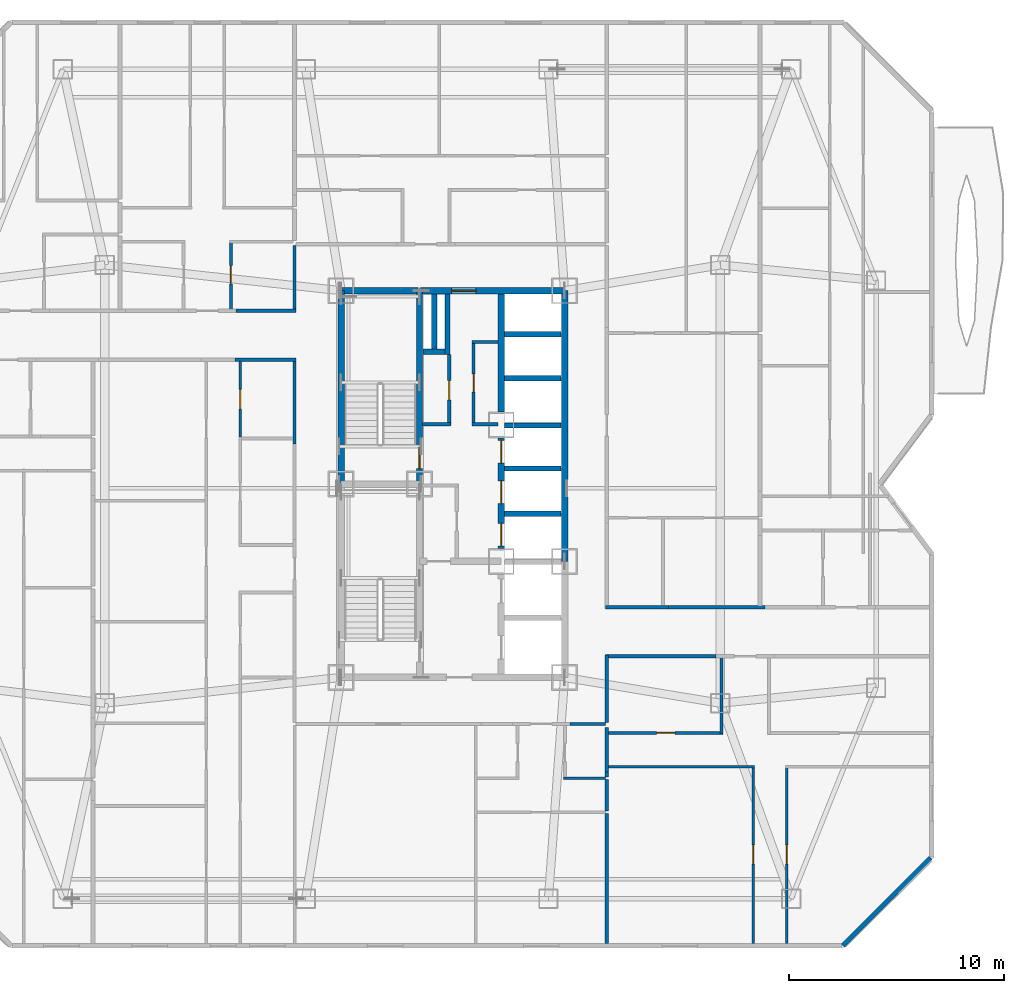
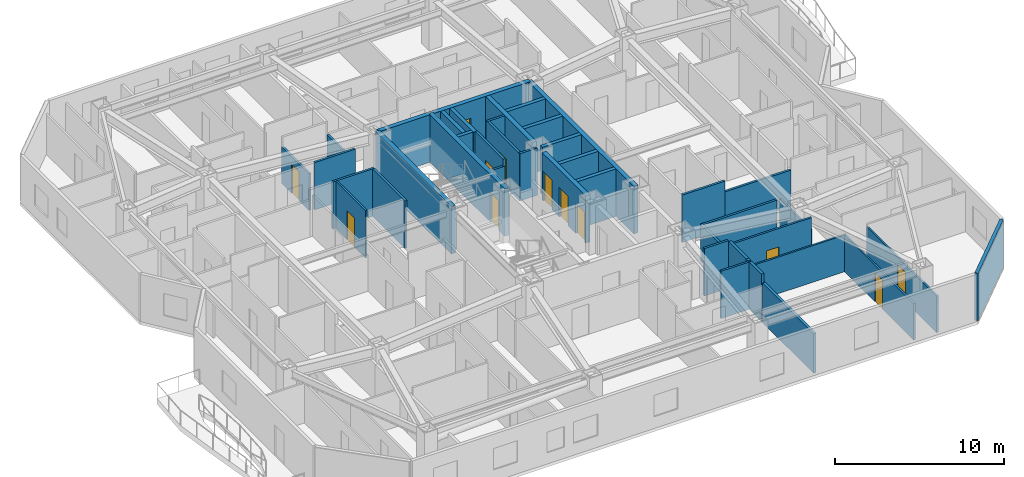
# One storey, part 10 of 16: 41 walls, 12 doors, 12 openings.
"""IFC4 building model written with IfcOpenShell, lengths in metres."""

from ifc_helpers import new_model, si_unit, direction, frame, frame_2d, origin, place, context, subcontext, project, spatial, rectangle, extrude, material, layer, layer_set, type_object, element, fill, save


model = new_model("IFC4")

# Units and contexts
model_context = context("Model", 3, precision=1e-05, world=origin(), true_north=direction((0.0, 1.0)))
body_context = subcontext(model_context, "Body", "Model", "MODEL_VIEW")
ifc_project = project(units=[si_unit("LENGTHUNIT", "METRE"), si_unit("AREAUNIT", "SQUARE_METRE"), si_unit("VOLUMEUNIT", "CUBIC_METRE"), si_unit("PLANEANGLEUNIT", "RADIAN"), si_unit("MASSUNIT", "GRAM", prefix="KILO")], contexts=[model_context])

# Site, building, storey
site_placement = place(None, origin())
site = spatial("IfcSite", under=ifc_project, at=site_placement, CompositionType="ELEMENT")
building_placement = place(site_placement, origin())
building = spatial("IfcBuilding", under=site, at=building_placement, Name="Khamvora Tower", CompositionType="ELEMENT")
storey_placement = place(building_placement, frame((0.0, 0.0, 134.75)))
storey = spatial("IfcBuildingStorey", under=building, at=storey_placement, Name="L34", CompositionType="ELEMENT", Elevation=134.75)

# Wall
ifc_material_1 = material(Name="Concrete C50/60", Category="concrete")
ifc_layer_1 = layer(ifc_material_1, 0.300048828125)
ifc_layer_set_1 = layer_set([ifc_layer_1], Name="Concrete C50/60")
wall_type_1 = type_object("IfcWallType", Name="WAL-CORE-300", PredefinedType="SHEAR", material=ifc_layer_set_1)
wall_1_placement = place(storey_placement, frame((29.0, 28.0, 0.0), z_axis=(0.0, 0.0, 1.0), x_axis=(0.0, 1.0, 0.0)))
element("IfcWall", 1, at=wall_1_placement, inside=storey, type_object=wall_type_1, Name="L34 central core west north wall", PredefinedType="SHEAR", context=body_context, shape_type="SweptSolid", body=[
    extrude(rectangle(XDim=9.0, YDim=0.300048828125, at=frame_2d((4.5, 0.0))), origin(), (0.0, 0.0, 1.0), 3.429931640625),
])

# Wall, opening, door
wall_2_placement = place(storey_placement, frame((29.0, 37.0, 0.0), z_axis=(0.0, 0.0, 1.0), x_axis=(1.0, 0.0, 0.0)))
wall_2 = element("IfcWall", 2, at=wall_2_placement, inside=storey, type_object=wall_type_1, Name="L34 central core north wall", PredefinedType="SHEAR", context=body_context, shape_type="SweptSolid", body=[
    extrude(rectangle(XDim=10.39990234375, YDim=0.300048828125, at=frame_2d((5.199951171875, 0.0))), origin(), (0.0, 0.0, 1.0), 3.429931640625),
])
opening_1_placement = place(wall_2_placement, frame((5.139892578125, 0.0, 0.0)))
opening_1 = element("IfcOpeningElement", 3, at=opening_1_placement, cuts=wall_2, Name="Opening D-SC1", PredefinedType="OPENING", context=body_context, shape_type="SweptSolid", body=[
    extrude(rectangle(XDim=1.14990234375, YDim=2.199951171875, at=frame_2d((0.574951171875, 1.10009765625))), frame((0.0, 0.159912109375, 0.0), z_axis=(0.0, -1.0, 0.0), x_axis=(1.0, 0.0, 0.0)), (0.0, 0.0, 1.0), 0.320068359375),
])
ifc_material_2 = material(Name="Powder-Coated Steel and Hardwood Leaf", Category="steel")
door_type_1 = type_object("IfcDoorType", Name="DOR-SCHL-1150", OperationType="NOTDEFINED", PredefinedType="DOOR", material=ifc_material_2)
door_1_placement = place(opening_1_placement, origin())
door_1 = element("IfcDoor", 4, at=door_1_placement, inside=storey, type_object=door_type_1, Name="L34 north core lobby to corridor fire door", OperationType="SINGLE_SWING_LEFT", OverallHeight=2.199951171875, OverallWidth=1.14990234375, PredefinedType="DOOR", context=body_context, shape_type="SweptSolid", body=[
    extrude(rectangle(XDim=1.14990234375, YDim=2.199951171875, at=frame_2d((0.574951171875, 1.10009765625))), frame((0.0, 0.02490234375, 0.0), z_axis=(0.0, -1.0, 0.0), x_axis=(1.0, 0.0, 0.0)), (0.0, 0.0, 1.0), 0.050048828125),
])
fill(opening_1, door_1)

# Wall
wall_3_placement = place(storey_placement, frame((39.39990234375, 24.39990234375, 0.0), z_axis=(0.0, 0.0, 1.0), x_axis=(0.0, 1.0, 0.0)))
element("IfcWall", 5, at=wall_3_placement, inside=storey, type_object=wall_type_1, Name="L34 central core east north wall", PredefinedType="SHEAR", context=body_context, shape_type="SweptSolid", body=[
    extrude(rectangle(XDim=12.60009765625, YDim=0.300048828125, at=frame_2d((6.300048828125, 0.0))), origin(), (0.0, 0.0, 1.0), 3.429931640625),
])

# Wall, opening, door
wall_4_placement = place(storey_placement, frame((32.64990234375, 28.0, 0.0), z_axis=(0.0, 0.0, 1.0), x_axis=(0.0, 1.0, 0.0)))
wall_4 = element("IfcWall", 6, at=wall_4_placement, inside=storey, type_object=wall_type_1, Name="L34 central core stair north spine wall", PredefinedType="SHEAR", context=body_context, shape_type="SweptSolid", body=[
    extrude(rectangle(XDim=9.0, YDim=0.300048828125, at=frame_2d((4.5, 0.0))), origin(), (0.0, 0.0, 1.0), 3.429931640625),
])
opening_2_placement = place(wall_4_placement, frame((0.719970703125, 0.0, 0.0)))
opening_2 = element("IfcOpeningElement", 7, at=opening_2_placement, cuts=wall_4, Name="Opening D-ST1", PredefinedType="OPENING", context=body_context, shape_type="SweptSolid", body=[
    extrude(rectangle(XDim=1.0, YDim=2.14990234375, at=frame_2d((0.5, 1.074951171875))), frame((0.0, 0.159912109375, 0.0), z_axis=(0.0, -1.0, 0.0), x_axis=(1.0, 0.0, 0.0)), (0.0, 0.0, 1.0), 0.320068359375),
])
door_type_2 = type_object("IfcDoorType", Name="DOR-STAIR-1000", OperationType="NOTDEFINED", PredefinedType="DOOR", material=ifc_material_2)
door_2_placement = place(opening_2_placement, origin())
door_2 = element("IfcDoor", 8, at=door_2_placement, inside=storey, type_object=door_type_2, Name="L34 exit stair ST-02 fire door", OperationType="SINGLE_SWING_RIGHT", OverallHeight=2.14990234375, OverallWidth=1.0, PredefinedType="DOOR", context=body_context, shape_type="SweptSolid", body=[
    extrude(rectangle(XDim=1.0, YDim=2.14990234375, at=frame_2d((0.5, 1.074951171875))), frame((0.0, 0.02490234375, 0.0), z_axis=(0.0, -1.0, 0.0), x_axis=(1.0, 0.0, 0.0)), (0.0, 0.0, 1.0), 0.050048828125),
])
fill(opening_2, door_2)

# Wall, openings, doors
wall_5_placement = place(storey_placement, frame((36.449951171875, 25.0, 0.0), z_axis=(0.0, 0.0, 1.0), x_axis=(0.0, 1.0, 0.0)))
wall_5 = element("IfcWall", 9, at=wall_5_placement, inside=storey, type_object=wall_type_1, Name="L34 central core lift bank central wall", PredefinedType="SHEAR", context=body_context, shape_type="SweptSolid", body=[
    extrude(rectangle(XDim=5.14990234375, YDim=0.300048828125, at=frame_2d((2.574951171875, 0.0))), origin(), (0.0, 0.0, 1.0), 3.429931640625),
])
opening_3_placement = place(wall_5_placement, frame((0.1201171875, 0.0, 0.0)))
opening_3 = element("IfcOpeningElement", 10, at=opening_3_placement, cuts=wall_5, Name="Opening LD-PL", PredefinedType="OPENING", context=body_context, shape_type="SweptSolid", body=[
    extrude(rectangle(XDim=1.050048828125, YDim=2.14990234375, at=frame_2d((0.52490234375, 1.074951171875))), frame((0.0, 0.159912109375, 0.0), z_axis=(0.0, -1.0, 0.0), x_axis=(1.0, 0.0, 0.0)), (0.0, 0.0, 1.0), 0.320068359375),
])
opening_4_placement = place(wall_5_placement, frame((2.094970703125, 0.0, 0.0)))
opening_4 = element("IfcOpeningElement", 11, at=opening_4_placement, cuts=wall_5, Name="Opening LD-PL", PredefinedType="OPENING", context=body_context, shape_type="SweptSolid", body=[
    extrude(rectangle(XDim=1.050048828125, YDim=2.14990234375, at=frame_2d((0.52490234375, 1.074951171875))), frame((0.0, 0.159912109375, 0.0), z_axis=(0.0, -1.0, 0.0), x_axis=(1.0, 0.0, 0.0)), (0.0, 0.0, 1.0), 0.320068359375),
])
opening_5_placement = place(wall_5_placement, frame((3.97998046875, 0.0, 0.0)))
opening_5 = element("IfcOpeningElement", 12, at=opening_5_placement, cuts=wall_5, Name="Opening LD-PL", PredefinedType="OPENING", context=body_context, shape_type="SweptSolid", body=[
    extrude(rectangle(XDim=1.050048828125, YDim=2.14990234375, at=frame_2d((0.52490234375, 1.074951171875))), frame((0.0, 0.159912109375, 0.0), z_axis=(0.0, -1.0, 0.0), x_axis=(1.0, 0.0, 0.0)), (0.0, 0.0, 1.0), 0.320068359375),
])
door_type_3 = type_object("IfcDoorType", Name="DOR-LIFT-1050", OperationType="SLIDING_TO_LEFT", PredefinedType="DOOR", material=ifc_material_2)
door_3_placement = place(opening_3_placement, origin())
door_3 = element("IfcDoor", 13, at=door_3_placement, inside=storey, type_object=door_type_3, Name="L34 lift landing sliding door PL-01", OperationType="SLIDING_TO_LEFT", OverallHeight=2.14990234375, OverallWidth=1.050048828125, PredefinedType="DOOR", context=body_context, shape_type="SweptSolid", body=[
    extrude(rectangle(XDim=1.050048828125, YDim=2.14990234375, at=frame_2d((0.52490234375, 1.074951171875))), frame((0.0, 0.02490234375, 0.0), z_axis=(0.0, -1.0, 0.0), x_axis=(1.0, 0.0, 0.0)), (0.0, 0.0, 1.0), 0.050048828125),
])
fill(opening_3, door_3)
door_4_placement = place(opening_4_placement, origin())
door_4 = element("IfcDoor", 14, at=door_4_placement, inside=storey, type_object=door_type_3, Name="L34 lift landing sliding door PL-02", OperationType="SLIDING_TO_LEFT", OverallHeight=2.14990234375, OverallWidth=1.050048828125, PredefinedType="DOOR", context=body_context, shape_type="SweptSolid", body=[
    extrude(rectangle(XDim=1.050048828125, YDim=2.14990234375, at=frame_2d((0.52490234375, 1.074951171875))), frame((0.0, 0.02490234375, 0.0), z_axis=(0.0, -1.0, 0.0), x_axis=(1.0, 0.0, 0.0)), (0.0, 0.0, 1.0), 0.050048828125),
])
fill(opening_4, door_4)
door_5_placement = place(opening_5_placement, origin())
door_5 = element("IfcDoor", 15, at=door_5_placement, inside=storey, type_object=door_type_3, Name="L34 lift landing sliding door PL-03", OperationType="SLIDING_TO_LEFT", OverallHeight=2.14990234375, OverallWidth=1.050048828125, PredefinedType="DOOR", context=body_context, shape_type="SweptSolid", body=[
    extrude(rectangle(XDim=1.050048828125, YDim=2.14990234375, at=frame_2d((0.52490234375, 1.074951171875))), frame((0.0, 0.02490234375, 0.0), z_axis=(0.0, -1.0, 0.0), x_axis=(1.0, 0.0, 0.0)), (0.0, 0.0, 1.0), 0.050048828125),
])
fill(opening_5, door_5)

# Walls
wall_6_placement = place(storey_placement, frame((36.449951171875, 31.35009765625, 0.0), z_axis=(0.0, 0.0, 1.0), x_axis=(0.0, 1.0, 0.0)))
element("IfcWall", 16, at=wall_6_placement, inside=storey, type_object=wall_type_1, Name="L34 central core lift bank north wall", PredefinedType="SHEAR", context=body_context, shape_type="SweptSolid", body=[
    extrude(rectangle(XDim=5.495849609375, YDim=0.300048828125, at=frame_2d((2.748046875, 0.0))), origin(), (0.0, 0.0, 1.0), 3.429931640625),
])
ifc_material_3 = material(Name="Fire-Rated Drywall and Steel Stud", Category="steel")
ifc_layer_2 = layer(ifc_material_3, 0.14990234375)
ifc_layer_set_2 = layer_set([ifc_layer_2], Name="Fire-Rated Drywall and Steel Stud")
wall_type_2 = type_object("IfcWallType", Name="WAL-CORR-150", PredefinedType="STANDARD", material=ifc_layer_set_2)
wall_7_placement = place(storey_placement, frame((36.305908203125, 34.614990234375, 0.0), z_axis=(0.0, 0.0, 1.0), x_axis=(-1.0, 0.0, 0.0)))
element("IfcWall", 17, at=wall_7_placement, inside=storey, type_object=wall_type_2, Name="L34 interior partition wall 001", PredefinedType="STANDARD", context=body_context, shape_type="SweptSolid", body=[
    extrude(rectangle(XDim=1.205810546875, YDim=0.14990234375, at=frame_2d((0.60302734375, 0.0))), origin(), (0.0, 0.0, 1.0), 3.429931640625),
])

# Wall, opening, door
wall_8_placement = place(storey_placement, frame((35.1650390625, 34.677978515625, 0.0), z_axis=(0.0, 0.0, 1.0), x_axis=(0.0, -1.0, 0.0)))
wall_8 = element("IfcWall", 18, at=wall_8_placement, inside=storey, type_object=wall_type_2, Name="L34 interior partition wall 002", PredefinedType="STANDARD", context=body_context, shape_type="SweptSolid", body=[
    extrude(rectangle(XDim=3.9580078125, YDim=0.14990234375, at=frame_2d((1.97900390625, 0.0))), origin(), (0.0, 0.0, 1.0), 3.429931640625),
])
opening_6_placement = place(wall_8_placement, frame((1.553955078125, 0.0, 0.0)))
opening_6 = element("IfcOpeningElement", 19, at=opening_6_placement, cuts=wall_8, Name="Opening D-WC1", PredefinedType="OPENING", context=body_context, shape_type="SweptSolid", body=[
    extrude(rectangle(XDim=0.85009765625, YDim=2.10009765625, at=frame_2d((0.425048828125, 1.050048828125))), frame((0.0, 0.0849609375, 0.0), z_axis=(0.0, -1.0, 0.0), x_axis=(1.0, 0.0, 0.0)), (0.0, 0.0, 1.0), 0.169921875),
])
door_type_4 = type_object("IfcDoorType", Name="DOR-WET-850", OperationType="NOTDEFINED", PredefinedType="DOOR", material=ifc_material_2)
door_6_placement = place(opening_6_placement, origin())
door_6 = element("IfcDoor", 20, at=door_6_placement, inside=storey, type_object=door_type_4, Name="L34 interior door PLL-CS1", OperationType="SINGLE_SWING_RIGHT", OverallHeight=2.10009765625, OverallWidth=0.85009765625, PredefinedType="DOOR", context=body_context, shape_type="SweptSolid", body=[
    extrude(rectangle(XDim=0.85009765625, YDim=2.10009765625, at=frame_2d((0.425048828125, 1.050048828125))), frame((0.0, 0.02490234375, 0.0), z_axis=(0.0, -1.0, 0.0), x_axis=(1.0, 0.0, 0.0)), (0.0, 0.0, 1.0), 0.050048828125),
])
fill(opening_6, door_6)

# Walls
wall_9_placement = place(storey_placement, frame((35.10205078125, 30.784912109375, 0.0), z_axis=(0.0, 0.0, 1.0), x_axis=(1.0, 0.0, 0.0)))
element("IfcWall", 21, at=wall_9_placement, inside=storey, type_object=wall_type_2, Name="L34 interior partition wall 003", PredefinedType="STANDARD", context=body_context, shape_type="SweptSolid", body=[
    extrude(rectangle(XDim=1.197998046875, YDim=0.14990234375, at=frame_2d((0.59912109375, 0.0))), origin(), (0.0, 0.0, 1.0), 3.429931640625),
])
wall_10_placement = place(storey_placement, frame((32.7939453125, 30.784912109375, 0.0), z_axis=(0.0, 0.0, 1.0), x_axis=(1.0, 0.0, 0.0)))
element("IfcWall", 22, at=wall_10_placement, inside=storey, type_object=wall_type_2, Name="L34 interior partition wall 004", PredefinedType="STANDARD", context=body_context, shape_type="SweptSolid", body=[
    extrude(rectangle(XDim=1.30615234375, YDim=0.14990234375, at=frame_2d((0.653076171875, 0.0))), origin(), (0.0, 0.0, 1.0), 2.886962890625),
])

# Wall, opening, door
wall_11_placement = place(storey_placement, frame((34.034912109375, 30.719970703125, 0.0), z_axis=(0.0, 0.0, 1.0), x_axis=(0.0, 1.0, 0.0)))
wall_11 = element("IfcWall", 23, at=wall_11_placement, inside=storey, type_object=wall_type_2, Name="L34 interior partition wall 005", PredefinedType="STANDARD", context=body_context, shape_type="SweptSolid", body=[
    extrude(rectangle(XDim=3.300048828125, YDim=0.14990234375, at=frame_2d((1.64990234375, 0.0))), origin(), (0.0, 0.0, 1.0), 3.429931640625),
])
opening_7_placement = place(wall_11_placement, frame((1.199951171875, 0.0, 0.0)))
opening_7 = element("IfcOpeningElement", 24, at=opening_7_placement, cuts=wall_11, Name="Opening D-RM1", PredefinedType="OPENING", context=body_context, shape_type="SweptSolid", body=[
    extrude(rectangle(XDim=0.89990234375, YDim=2.10009765625, at=frame_2d((0.449951171875, 1.050048828125))), frame((0.0, 0.0849609375, 0.0), z_axis=(0.0, -1.0, 0.0), x_axis=(1.0, 0.0, 0.0)), (0.0, 0.0, 1.0), 0.169921875),
])
door_type_5 = type_object("IfcDoorType", Name="DOR-ROOM-900", OperationType="NOTDEFINED", PredefinedType="DOOR", material=ifc_material_2)
door_7_placement = place(opening_7_placement, origin())
door_7 = element("IfcDoor", 25, at=door_7_placement, inside=storey, type_object=door_type_5, Name="L34 interior door PLL-CS2", OperationType="SINGLE_SWING_LEFT", OverallHeight=2.10009765625, OverallWidth=0.89990234375, PredefinedType="DOOR", context=body_context, shape_type="SweptSolid", body=[
    extrude(rectangle(XDim=0.89990234375, YDim=2.10009765625, at=frame_2d((0.449951171875, 1.050048828125))), frame((0.0, 0.02490234375, 0.0), z_axis=(0.0, -1.0, 0.0), x_axis=(1.0, 0.0, 0.0)), (0.0, 0.0, 1.0), 0.050048828125),
])
fill(opening_7, door_7)

# Walls
wall_12_placement = place(storey_placement, frame((26.8349609375, 29.875, 0.0), z_axis=(0.0, 0.0, 1.0), x_axis=(0.0, 1.0, 0.0)))
element("IfcWall", 26, at=wall_12_placement, inside=storey, type_object=wall_type_2, Name="L34 interior partition wall 013", PredefinedType="STANDARD", context=body_context, shape_type="SweptSolid", body=[
    extrude(rectangle(XDim=3.97509765625, YDim=0.14990234375, at=frame_2d((1.987548828125, 0.0))), origin(), (0.0, 0.0, 1.0), 3.429931640625),
])
wall_13_placement = place(storey_placement, frame((26.89794921875, 33.784912109375, 0.0), z_axis=(0.0, 0.0, 1.0), x_axis=(-1.0, 0.0, 0.0)))
element("IfcWall", 27, at=wall_13_placement, inside=storey, type_object=wall_type_2, Name="L34 interior partition wall 014", PredefinedType="STANDARD", context=body_context, shape_type="SweptSolid", body=[
    extrude(rectangle(XDim=2.842041015625, YDim=0.14990234375, at=frame_2d((1.4208984375, 0.0))), origin(), (0.0, 0.0, 1.0), 3.429931640625),
])
wall_14_placement = place(storey_placement, frame((26.8349609375, 36.0, 0.0), z_axis=(0.0, 0.0, 1.0), x_axis=(0.0, 1.0, 0.0)))
element("IfcWall", 28, at=wall_14_placement, inside=storey, type_object=wall_type_2, Name="L34 interior partition wall 025", PredefinedType="STANDARD", context=body_context, shape_type="SweptSolid", body=[
    extrude(rectangle(XDim=3.10009765625, YDim=0.14990234375, at=frame_2d((1.550048828125, 0.0))), origin(), (0.0, 0.0, 1.0), 2.64697265625),
])
wall_15_placement = place(storey_placement, frame((24.118896484375, 36.06494140625, 0.0), z_axis=(0.0, 0.0, 1.0), x_axis=(1.0, 0.0, 0.0)))
element("IfcWall", 29, at=wall_15_placement, inside=storey, type_object=wall_type_2, Name="L34 interior partition wall 026", PredefinedType="STANDARD", context=body_context, shape_type="SweptSolid", body=[
    extrude(rectangle(XDim=2.779052734375, YDim=0.14990234375, at=frame_2d((1.3896484375, 0.0))), origin(), (0.0, 0.0, 1.0), 3.429931640625),
])
wall_16_placement = place(storey_placement, frame((41.300048828125, 16.8349609375, 0.0), z_axis=(0.0, 0.0, 1.0), x_axis=(-1.0, 0.0, 0.0)))
element("IfcWall", 30, at=wall_16_placement, inside=storey, type_object=wall_type_2, Name="L34 interior partition wall 029", PredefinedType="STANDARD", context=body_context, shape_type="SweptSolid", body=[
    extrude(rectangle(XDim=1.635986328125, YDim=0.14990234375, at=frame_2d((0.81787109375, 0.0))), origin(), (0.0, 0.0, 1.0), 3.429931640625),
])
wall_17_placement = place(storey_placement, frame((46.4609375, 19.985107421875, 0.0), z_axis=(0.0, 0.0, 1.0), x_axis=(-1.0, 0.0, 0.0)))
element("IfcWall", 31, at=wall_17_placement, inside=storey, type_object=wall_type_2, Name="L34 interior partition wall 034", PredefinedType="STANDARD", context=body_context, shape_type="SweptSolid", body=[
    extrude(rectangle(XDim=5.160888671875, YDim=0.14990234375, at=frame_2d((2.58056640625, 0.0))), origin(), (0.0, 0.0, 1.0), 2.64697265625),
])
wall_18_placement = place(storey_placement, frame((41.364990234375, 20.050048828125, 0.0), z_axis=(0.0, 0.0, 1.0), x_axis=(0.0, -1.0, 0.0)))
element("IfcWall", 32, at=wall_18_placement, inside=storey, type_object=wall_type_2, Name="L34 interior partition wall 035", PredefinedType="STANDARD", context=body_context, shape_type="SweptSolid", body=[
    extrude(rectangle(XDim=3.150146484375, YDim=0.14990234375, at=frame_2d((1.5751953125, 0.0))), origin(), (0.0, 0.0, 1.0), 2.64697265625),
])
wall_19_placement = place(storey_placement, frame((41.300048828125, 22.264892578125, 0.0), z_axis=(0.0, 0.0, 1.0), x_axis=(1.0, 0.0, 0.0)))
element("IfcWall", 33, at=wall_19_placement, inside=storey, type_object=wall_type_2, Name="L34 interior partition wall 039", PredefinedType="STANDARD", context=body_context, shape_type="SweptSolid", body=[
    extrude(rectangle(XDim=2.928955078125, YDim=0.14990234375, at=frame_2d((1.46435546875, 0.0))), origin(), (0.0, 0.0, 1.0), 3.429931640625),
])
wall_20_placement = place(storey_placement, frame((44.22900390625, 22.264892578125, 0.0), z_axis=(0.0, 0.0, 1.0), x_axis=(1.0, 0.0, 0.0)))
element("IfcWall", 34, at=wall_20_placement, inside=storey, type_object=wall_type_2, Name="L34 interior partition wall 040", PredefinedType="STANDARD", context=body_context, shape_type="SweptSolid", body=[
    extrude(rectangle(XDim=4.510009765625, YDim=0.14990234375, at=frame_2d((2.2548828125, 0.0))), origin(), (0.0, 0.0, 1.0), 2.64697265625),
])
ifc_material_4 = material(Name="Acoustic Double-Stud Fire Wall", Category="gypsum")
ifc_layer_3 = layer(ifc_material_4, 0.179931640625)
ifc_layer_set_3 = layer_set([ifc_layer_3], Name="Acoustic Double-Stud Fire Wall")
wall_type_3 = type_object("IfcWallType", Name="WAL-CORR-180", PredefinedType="STANDARD", material=ifc_layer_set_3)
wall_21_placement = place(storey_placement, frame((41.364990234375, 14.239990234375, 0.0), z_axis=(0.0, 0.0, 1.0), x_axis=(0.0, -1.0, 0.0)))
element("IfcWall", 35, at=wall_21_placement, inside=storey, type_object=wall_type_3, Name="L34 interior partition wall 118", PredefinedType="STANDARD", context=body_context, shape_type="SweptSolid", body=[
    extrude(rectangle(XDim=1.449951171875, YDim=0.179931640625, at=frame_2d((0.72509765625, 0.0))), origin(), (0.0, 0.0, 1.0), 3.429931640625),
])
wall_22_placement = place(storey_placement, frame((41.364990234375, 16.669921875, 0.0), z_axis=(0.0, 0.0, 1.0), x_axis=(0.0, -1.0, 0.0)))
element("IfcWall", 36, at=wall_22_placement, inside=storey, type_object=wall_type_3, Name="L34 interior partition wall 119", PredefinedType="STANDARD", context=body_context, shape_type="SweptSolid", body=[
    extrude(rectangle(XDim=2.077880859375, YDim=0.179931640625, at=frame_2d((1.0390625, 0.0))), origin(), (0.0, 0.0, 1.0), 3.429931640625),
])
wall_23_placement = place(storey_placement, frame((41.364990234375, 14.592041015625, 0.0), z_axis=(0.0, 0.0, 1.0), x_axis=(0.0, -1.0, 0.0)))
element("IfcWall", 37, at=wall_23_placement, inside=storey, type_object=wall_type_3, Name="L34 interior partition wall 120", PredefinedType="STANDARD", context=body_context, shape_type="SweptSolid", body=[
    extrude(rectangle(XDim=0.221923828125, YDim=0.179931640625, at=frame_2d((0.11083984375, 0.0))), origin(), (0.0, 0.0, 1.0), 3.429931640625),
])
wall_24_placement = place(storey_placement, frame((41.364990234375, 12.659912109375, 0.0), z_axis=(0.0, 0.0, 1.0), x_axis=(0.0, -1.0, 0.0)))
element("IfcWall", 38, at=wall_24_placement, inside=storey, type_object=wall_type_3, Name="L34 interior partition wall 121", PredefinedType="STANDARD", context=body_context, shape_type="SweptSolid", body=[
    extrude(rectangle(XDim=6.0478515625, YDim=0.179931640625, at=frame_2d((3.02392578125, 0.0))), origin(), (0.0, 0.0, 1.0), 2.8759765625),
])
ifc_material_5 = material(Name="Precast concrete C40/50", Category="concrete")
ifc_layer_4 = layer(ifc_material_5, 0.219970703125)
ifc_layer_set_4 = layer_set([ifc_layer_4], Name="Precast concrete C40/50")
wall_type_4 = type_object("IfcWallType", Name="WAL-EXT-220", PredefinedType="STANDARD", material=ifc_layer_set_4)
wall_25_placement = place(storey_placement, frame((56.43994140625, 10.595947265625, 0.0), z_axis=(0.0, 0.0, 1.0), x_axis=(-0.707106781187, -0.707106781187, 0.0)))
element("IfcWall", 39, at=wall_25_placement, inside=storey, type_object=wall_type_4, Name="L34 exterior facade wall 13.1", PredefinedType="STANDARD", context=body_context, shape_type="SweptSolid", body=[
    extrude(rectangle(XDim=5.7783203125, YDim=0.219970703125, at=frame_2d((2.88916015625, 0.0))), origin(), (0.0, 0.0, 1.0), 3.429931640625),
])

# Wall, opening, door
ifc_material_6 = material(Name="Gypsum Plasterboard Partition", Category="gypsum")
ifc_layer_5 = layer(ifc_material_6, 0.1201171875)
ifc_layer_set_5 = layer_set([ifc_layer_5], Name="Gypsum Plasterboard Partition")
wall_type_5 = type_object("IfcWallType", Name="WAL-PART-120", PredefinedType="PARTITIONING", material=ifc_layer_set_5)
wall_26_placement = place(storey_placement, frame((24.304931640625, 30.18896484375, 0.0), z_axis=(0.0, 0.0, 1.0), x_axis=(0.0, 1.0, 0.0)))
wall_26 = element("IfcWall", 40, at=wall_26_placement, inside=storey, type_object=wall_type_5, Name="L34 interior partition wall 074", PredefinedType="PARTITIONING", context=body_context, shape_type="SweptSolid", body=[
    extrude(rectangle(XDim=3.529052734375, YDim=0.1201171875, at=frame_2d((1.7646484375, 0.0))), origin(), (0.0, 0.0, 1.0), 3.429931640625),
])
opening_8_placement = place(wall_26_placement, frame((1.31494140625, 0.0, 0.0)))
opening_8 = element("IfcOpeningElement", 41, at=opening_8_placement, cuts=wall_26, Name="Opening D-RM1", PredefinedType="OPENING", context=body_context, shape_type="SweptSolid", body=[
    extrude(rectangle(XDim=0.89990234375, YDim=2.10009765625, at=frame_2d((0.449951171875, 1.050048828125))), frame((0.0, 0.070068359375, 0.0), z_axis=(0.0, -1.0, 0.0), x_axis=(1.0, 0.0, 0.0)), (0.0, 0.0, 1.0), 0.14013671875),
])
door_8_placement = place(opening_8_placement, origin())
door_8 = element("IfcDoor", 42, at=door_8_placement, inside=storey, type_object=door_type_5, Name="L34 interior door 34WA2W2-34WA2H", OperationType="SINGLE_SWING_RIGHT", OverallHeight=2.10009765625, OverallWidth=0.89990234375, PredefinedType="DOOR", context=body_context, shape_type="SweptSolid", body=[
    extrude(rectangle(XDim=0.89990234375, YDim=2.10009765625, at=frame_2d((0.449951171875, 1.050048828125))), frame((0.0, 0.02490234375, 0.0), z_axis=(0.0, -1.0, 0.0), x_axis=(1.0, 0.0, 0.0)), (0.0, 0.0, 1.0), 0.050048828125),
])
fill(opening_8, door_8)

wall_27_placement = place(storey_placement, frame((48.175048828125, 6.612060546875, 0.0), z_axis=(0.0, 0.0, 1.0), x_axis=(0.0, 1.0, 0.0)))
wall_27 = element("IfcWall", 43, at=wall_27_placement, inside=storey, type_object=wall_type_5, Name="L34 interior partition wall 136", PredefinedType="PARTITIONING", context=body_context, shape_type="SweptSolid", body=[
    extrude(rectangle(XDim=8.2939453125, YDim=0.1201171875, at=frame_2d((4.14697265625, 0.0))), origin(), (0.0, 0.0, 1.0), 2.64697265625),
])
opening_9_placement = place(wall_27_placement, frame((3.697021484375, 0.0, 0.0)))
opening_9 = element("IfcOpeningElement", 44, at=opening_9_placement, cuts=wall_27, Name="Opening D-RM1", PredefinedType="OPENING", context=body_context, shape_type="SweptSolid", body=[
    extrude(rectangle(XDim=0.89990234375, YDim=2.10009765625, at=frame_2d((0.449951171875, 1.050048828125))), frame((0.0, 0.070068359375, 0.0), z_axis=(0.0, -1.0, 0.0), x_axis=(1.0, 0.0, 0.0)), (0.0, 0.0, 1.0), 0.14013671875),
])
door_9_placement = place(opening_9_placement, origin())
door_9 = element("IfcDoor", 45, at=door_9_placement, inside=storey, type_object=door_type_5, Name="L34 interior door 34EAH-34EAR1", OperationType="SINGLE_SWING_LEFT", OverallHeight=2.10009765625, OverallWidth=0.89990234375, PredefinedType="DOOR", context=body_context, shape_type="SweptSolid", body=[
    extrude(rectangle(XDim=0.89990234375, YDim=2.10009765625, at=frame_2d((0.449951171875, 1.050048828125))), frame((0.0, 0.02490234375, 0.0), z_axis=(0.0, -1.0, 0.0), x_axis=(1.0, 0.0, 0.0)), (0.0, 0.0, 1.0), 0.050048828125),
])
fill(opening_9, door_9)

# Wall
wall_28_placement = place(storey_placement, frame((48.239990234375, 14.841064453125, 0.0), z_axis=(0.0, 0.0, 1.0), x_axis=(-1.0, 0.0, 0.0)))
element("IfcWall", 46, at=wall_28_placement, inside=storey, type_object=wall_type_5, Name="L34 interior partition wall 137", PredefinedType="PARTITIONING", context=body_context, shape_type="SweptSolid", body=[
    extrude(rectangle(XDim=6.79296875, YDim=0.1201171875, at=frame_2d((3.396484375, 0.0))), origin(), (0.0, 0.0, 1.0), 2.64697265625),
])

# Wall, opening, door
wall_29_placement = place(storey_placement, frame((49.7451171875, 14.906005859375, 0.0), z_axis=(0.0, 0.0, 1.0), x_axis=(0.0, -1.0, 0.0)))
wall_29 = element("IfcWall", 47, at=wall_29_placement, inside=storey, type_object=wall_type_5, Name="L34 interior partition wall 139", PredefinedType="PARTITIONING", context=body_context, shape_type="SweptSolid", body=[
    extrude(rectangle(XDim=8.2939453125, YDim=0.1201171875, at=frame_2d((4.14697265625, 0.0))), origin(), (0.0, 0.0, 1.0), 2.64697265625),
])
opening_10_placement = place(wall_29_placement, frame((3.697021484375, 0.0, 0.0)))
opening_10 = element("IfcOpeningElement", 48, at=opening_10_placement, cuts=wall_29, Name="Opening D-RM1", PredefinedType="OPENING", context=body_context, shape_type="SweptSolid", body=[
    extrude(rectangle(XDim=0.89990234375, YDim=2.10009765625, at=frame_2d((0.449951171875, 1.050048828125))), frame((0.0, 0.070068359375, 0.0), z_axis=(0.0, -1.0, 0.0), x_axis=(1.0, 0.0, 0.0)), (0.0, 0.0, 1.0), 0.14013671875),
])
door_10_placement = place(opening_10_placement, origin())
door_10 = element("IfcDoor", 49, at=door_10_placement, inside=storey, type_object=door_type_5, Name="L34 interior door 34EAH-34EAR2", OperationType="SINGLE_SWING_RIGHT", OverallHeight=2.10009765625, OverallWidth=0.89990234375, PredefinedType="DOOR", context=body_context, shape_type="SweptSolid", body=[
    extrude(rectangle(XDim=0.89990234375, YDim=2.10009765625, at=frame_2d((0.449951171875, 1.050048828125))), frame((0.0, 0.02490234375, 0.0), z_axis=(0.0, -1.0, 0.0), x_axis=(1.0, 0.0, 0.0)), (0.0, 0.0, 1.0), 0.050048828125),
])
fill(opening_10, door_10)

# Walls
ifc_material_7 = material(Name="Concrete C40/50", Category="concrete")
ifc_layer_6 = layer(ifc_material_7, 0.25)
ifc_layer_set_6 = layer_set([ifc_layer_6], Name="Concrete C40/50")
wall_type_6 = type_object("IfcWallType", Name="WAL-PODS-250", PredefinedType="SHEAR", material=ifc_layer_set_6)
for number, where, z_axis, x_axis, name in (
    (50, (36.60400390625, 26.625, 0.0), (0.0, 0.0, 1.0), (1.0, 0.0, 0.0), "L34 lift shaft divider wall PL-01"),
    (51, (36.60400390625, 28.72509765625, 0.0), (0.0, 0.0, 1.0), (1.0, 0.0, 0.0), "L34 lift shaft divider wall PL-02"),
    (52, (36.60400390625, 30.72509765625, 0.0), (0.0, 0.0, 1.0), (1.0, 0.0, 0.0), "L34 lift shaft divider wall PL-03"),
    (53, (36.60400390625, 32.925048828125, 0.0), (0.0, 0.0, 1.0), (1.0, 0.0, 0.0), "L34 lift shaft divider wall PH-01"),
    (54, (36.60400390625, 34.97509765625, 0.0), (0.0, 0.0, 1.0), (1.0, 0.0, 0.0), "L34 lift shaft divider wall PH-02"),
):
    element("IfcWall", number, at=place(storey_placement, frame(where, z_axis=z_axis, x_axis=x_axis)), inside=storey, type_object=wall_type_6, Name=name, PredefinedType="SHEAR", context=body_context, shape_type="SweptSolid", body=[
        extrude(rectangle(XDim=2.64208984375, YDim=0.25, at=frame_2d((1.321044921875, 0.0))), origin(), (0.0, 0.0, 1.0), 3.429931640625),
    ])
wall_30_placement = place(storey_placement, frame((33.955078125, 34.02490234375, 0.0), z_axis=(0.0, 0.0, 1.0), x_axis=(0.0, 1.0, 0.0)))
element("IfcWall", 55, at=wall_30_placement, inside=storey, type_object=wall_type_6, Name="L34 vertical MEP riser shaft east enclosure wall", PredefinedType="SHEAR", context=body_context, shape_type="SweptSolid", body=[
    extrude(rectangle(XDim=2.821044921875, YDim=0.25, at=frame_2d((1.41064453125, 0.0))), origin(), (0.0, 0.0, 1.0), 3.429931640625),
])
wall_31_placement = place(storey_placement, frame((32.803955078125, 34.14990234375, 0.0), z_axis=(0.0, 0.0, 1.0), x_axis=(1.0, 0.0, 0.0)))
element("IfcWall", 56, at=wall_31_placement, inside=storey, type_object=wall_type_6, Name="L34 vertical MEP riser shaft south enclosure wall", PredefinedType="SHEAR", context=body_context, shape_type="SweptSolid", body=[
    extrude(rectangle(XDim=1.02197265625, YDim=0.25, at=frame_2d((0.510986328125, 0.0))), origin(), (0.0, 0.0, 1.0), 3.429931640625),
])
wall_32_placement = place(storey_placement, frame((33.340087890625, 34.279052734375, 0.0), z_axis=(0.0, 0.0, 1.0), x_axis=(0.0, 1.0, 0.0)))
element("IfcWall", 57, at=wall_32_placement, inside=storey, type_object=wall_type_6, Name="L34 vertical MEP riser shaft divider enclosure wall", PredefinedType="SHEAR", context=body_context, shape_type="SweptSolid", body=[
    extrude(rectangle(XDim=2.56689453125, YDim=0.25, at=frame_2d((1.283447265625, 0.0))), origin(), (0.0, 0.0, 1.0), 3.429931640625),
])

# Wall, opening, door
ifc_material_8 = material(Name="Moisture-Resistant Plasterboard Partition", Category="gypsum")
ifc_layer_7 = layer(ifc_material_8, 0.135009765625)
ifc_layer_set_7 = layer_set([ifc_layer_7], Name="Moisture-Resistant Plasterboard Partition")
wall_type_7 = type_object("IfcWallType", Name="WAL-WET-135", PredefinedType="PARTITIONING", material=ifc_layer_set_7)
wall_33_placement = place(storey_placement, frame((23.8701171875, 39.344970703125, 0.0), z_axis=(0.0, 0.0, 1.0), x_axis=(0.0, -1.0, 0.0)))
wall_33 = element("IfcWall", 58, at=wall_33_placement, inside=storey, type_object=wall_type_7, Name="L34 interior partition wall 104", PredefinedType="PARTITIONING", context=body_context, shape_type="SweptSolid", body=[
    extrude(rectangle(XDim=3.215087890625, YDim=0.135009765625, at=frame_2d((1.607421875, 0.0))), origin(), (0.0, 0.0, 1.0), 2.64697265625),
])
opening_11_placement = place(wall_33_placement, frame((1.181884765625, 0.0, 0.0)))
opening_11 = element("IfcOpeningElement", 59, at=opening_11_placement, cuts=wall_33, Name="Opening D-RM2", PredefinedType="OPENING", context=body_context, shape_type="SweptSolid", body=[
    extrude(rectangle(XDim=0.85009765625, YDim=2.10009765625, at=frame_2d((0.425048828125, 1.050048828125))), frame((0.0, 0.077392578125, 0.0), z_axis=(0.0, -1.0, 0.0), x_axis=(1.0, 0.0, 0.0)), (0.0, 0.0, 1.0), 0.155029296875),
])
door_type_6 = type_object("IfcDoorType", Name="DOR-ROOM-850", OperationType="NOTDEFINED", PredefinedType="DOOR", material=ifc_material_2)
door_11_placement = place(opening_11_placement, origin())
door_11 = element("IfcDoor", 60, at=door_11_placement, inside=storey, type_object=door_type_6, Name="L34 interior door 34WCH-34WCK", OperationType="SINGLE_SWING_LEFT", OverallHeight=2.10009765625, OverallWidth=0.85009765625, PredefinedType="DOOR", context=body_context, shape_type="SweptSolid", body=[
    extrude(rectangle(XDim=0.85009765625, YDim=2.10009765625, at=frame_2d((0.425048828125, 1.050048828125))), frame((0.0, 0.02490234375, 0.0), z_axis=(0.0, -1.0, 0.0), x_axis=(1.0, 0.0, 0.0)), (0.0, 0.0, 1.0), 0.050048828125),
])
fill(opening_11, door_11)

# Wall
wall_34_placement = place(storey_placement, frame((39.35009765625, 14.304931640625, 0.0), z_axis=(0.0, 0.0, 1.0), x_axis=(1.0, 0.0, 0.0)))
element("IfcWall", 61, at=wall_34_placement, inside=storey, type_object=wall_type_7, Name="L34 interior partition wall 116", PredefinedType="PARTITIONING", context=body_context, shape_type="SweptSolid", body=[
    extrude(rectangle(XDim=1.949951171875, YDim=0.135009765625, at=frame_2d((0.97509765625, 0.0))), origin(), (0.0, 0.0, 1.0), 3.429931640625),
])

# Wall, opening, door
wall_35_placement = place(storey_placement, frame((41.447021484375, 16.4208984375, 0.0), z_axis=(0.0, 0.0, 1.0), x_axis=(1.0, 0.0, 0.0)))
wall_35 = element("IfcWall", 62, at=wall_35_placement, inside=storey, type_object=wall_type_7, Name="L34 interior partition wall 132", PredefinedType="PARTITIONING", context=body_context, shape_type="SweptSolid", body=[
    extrude(rectangle(XDim=5.327880859375, YDim=0.135009765625, at=frame_2d((2.6640625, 0.0))), origin(), (0.0, 0.0, 1.0), 3.429931640625),
])
opening_12_placement = place(wall_35_placement, frame((2.239013671875, 0.0, 0.0)))
opening_12 = element("IfcOpeningElement", 63, at=opening_12_placement, cuts=wall_35, Name="Opening D-WC1", PredefinedType="OPENING", context=body_context, shape_type="SweptSolid", body=[
    extrude(rectangle(XDim=0.85009765625, YDim=2.10009765625, at=frame_2d((0.425048828125, 1.050048828125))), frame((0.0, 0.077392578125, 0.0), z_axis=(0.0, -1.0, 0.0), x_axis=(1.0, 0.0, 0.0)), (0.0, 0.0, 1.0), 0.155029296875),
])
door_12_placement = place(opening_12_placement, origin())
door_12 = element("IfcDoor", 64, at=door_12_placement, inside=storey, type_object=door_type_4, Name="L34 interior door 34EAH-34EAB", OperationType="SINGLE_SWING_LEFT", OverallHeight=2.10009765625, OverallWidth=0.85009765625, PredefinedType="DOOR", context=body_context, shape_type="SweptSolid", body=[
    extrude(rectangle(XDim=0.85009765625, YDim=2.10009765625, at=frame_2d((0.425048828125, 1.050048828125))), frame((0.0, 0.02490234375, 0.0), z_axis=(0.0, -1.0, 0.0), x_axis=(1.0, 0.0, 0.0)), (0.0, 0.0, 1.0), 0.050048828125),
])
fill(opening_12, door_12)

# Wall
wall_36_placement = place(storey_placement, frame((46.7099609375, 16.35595703125, 0.0), z_axis=(0.0, 0.0, 1.0), x_axis=(0.0, 1.0, 0.0)))
element("IfcWall", 65, at=wall_36_placement, inside=storey, type_object=wall_type_7, Name="L34 interior partition wall 133", PredefinedType="PARTITIONING", context=body_context, shape_type="SweptSolid", body=[
    extrude(rectangle(XDim=3.56201171875, YDim=0.135009765625, at=frame_2d((1.781005859375, 0.0))), origin(), (0.0, 0.0, 1.0), 2.64697265625),
])

save(model, "model.ifc")
